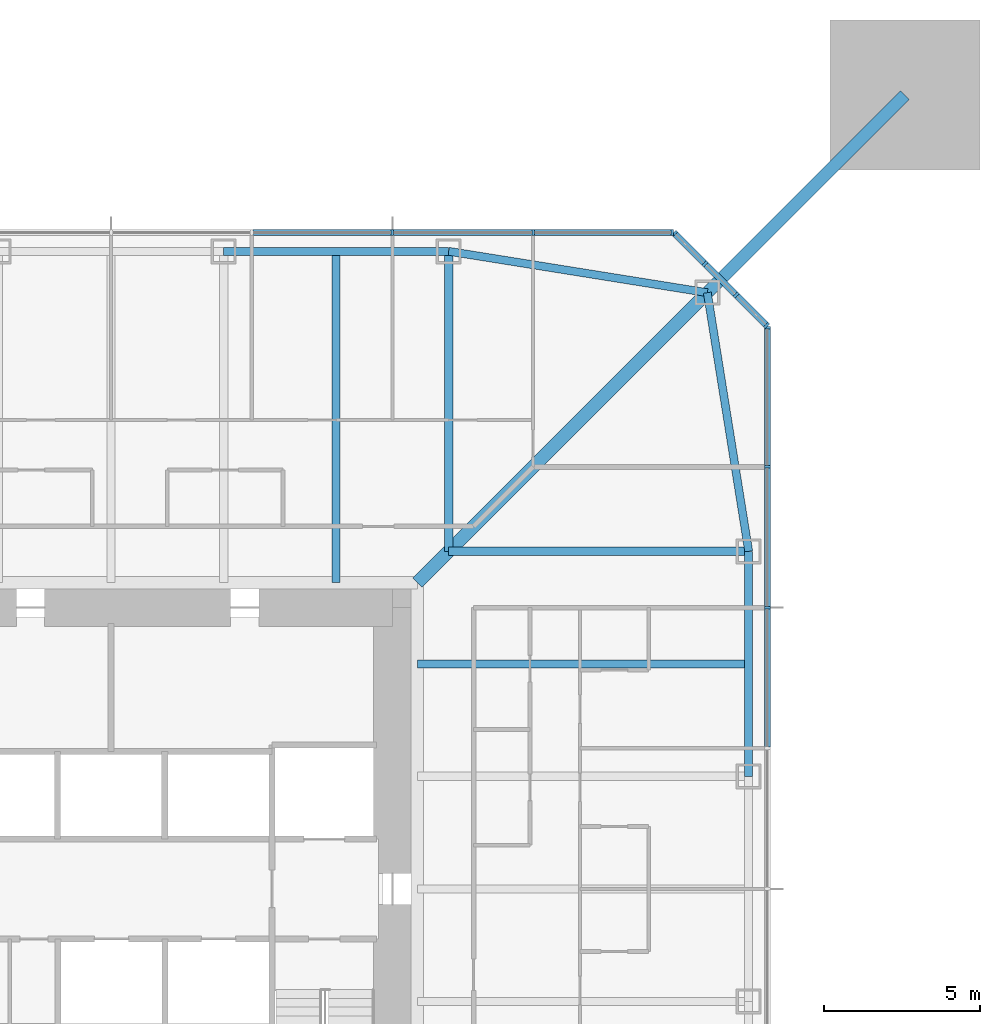
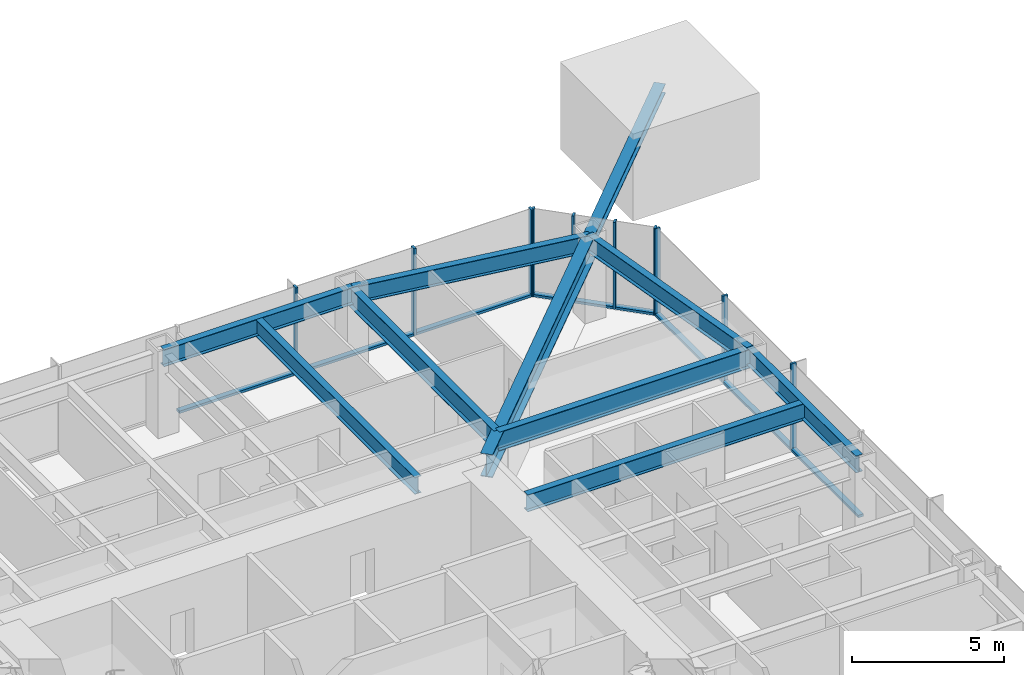
# One storey, part 5 of 14: 20 members, 9 beams, 3 elements without a shape of their own.
"""IFC4 building model written with IfcOpenShell, lengths in metres."""

from ifc_helpers import new_model, si_unit, direction, frame, origin, origin_2d, place, context, subcontext, project, spatial, rectangle, i_section, extrude, material, material_profile, profile_set, type_object, element, aggregate, save


model = new_model("IFC4")

# Units and contexts
model_context = context("Model", 3, precision=1e-05, world=origin(), true_north=direction((0.0, 1.0)))
body_context = subcontext(model_context, "Body", "Model", "MODEL_VIEW")
ifc_project = project(units=[si_unit("LENGTHUNIT", "METRE"), si_unit("AREAUNIT", "SQUARE_METRE"), si_unit("VOLUMEUNIT", "CUBIC_METRE"), si_unit("PLANEANGLEUNIT", "RADIAN"), si_unit("MASSUNIT", "GRAM", prefix="KILO")], contexts=[model_context])

# Site, building, storey
site_placement = place(None, origin())
site = spatial("IfcSite", under=ifc_project, at=site_placement, CompositionType="ELEMENT")
building_placement = place(site_placement, origin())
building = spatial("IfcBuilding", under=site, at=building_placement, Name="Iwan Alto Co-Living Towers", CompositionType="ELEMENT")
storey_placement = place(building_placement, frame((0.0, 0.0, 136.5)))
storey = spatial("IfcBuildingStorey", under=building, at=storey_placement, Name="L37", CompositionType="ELEMENT", Elevation=136.5)

# Curtain wall, members
ifc_material_1 = material(Name="Bronze aluminium unitised frame", Category="aluminium")
curtain_wall_type_1 = type_object("IfcCurtainWallType", Name="CURTAIN WALL CW-A", PredefinedType="NOTDEFINED", material=ifc_material_1)
curtain_wall_1_placement = place(storey_placement, origin())
curtain_wall_1 = element("IfcCurtainWall", 1, at=curtain_wall_1_placement, inside=storey, type_object=curtain_wall_type_1, Name="T1 curtain wall E L37", PredefinedType="NOTDEFINED")
ifc_material_2 = material(Name="Aluminium 6063-T6 bronze anodised", Category="aluminium")
ifc_material_profile_1 = material_profile(ifc_material_2, rectangle(XDim=0.199951171875, YDim=0.080078125, at=origin_2d()), Name="AL 80X200")
ifc_profile_set_1 = profile_set([ifc_material_profile_1], Name="Aluminium 6063-T6 bronze anodised")
member_type_1 = type_object("IfcMemberType", Name="CW-A MULLION 80X200", PredefinedType="MULLION", material=ifc_profile_set_1)
member_1_placement = place(storey_placement, frame((21.0, 9.0, 0.0), z_axis=(0.0, 0.0, 1.0), x_axis=(-1.0, 0.0, 0.0)))
member_1 = element("IfcMember", 2, at=member_1_placement, type_object=member_type_1, Name="CW-A mullion 7", PredefinedType="MULLION", context=body_context, shape_type="SweptSolid", body=[
    extrude(rectangle(XDim=0.199951171875, YDim=0.080078125, at=origin_2d()), origin(), (0.0, 0.0, 1.0), 3.5),
])
member_2_placement = place(storey_placement, frame((21.0, 13.5, 0.0), z_axis=(0.0, 0.0, 1.0), x_axis=(-1.0, 0.0, 0.0)))
member_2 = element("IfcMember", 3, at=member_2_placement, type_object=member_type_1, Name="CW-A mullion 8", PredefinedType="MULLION", context=body_context, shape_type="SweptSolid", body=[
    extrude(rectangle(XDim=0.199951171875, YDim=0.080078125, at=origin_2d()), origin(), (0.0, 0.0, 1.0), 3.5),
])
member_3_placement = place(storey_placement, frame((21.0, 17.9599609375, 0.0), z_axis=(0.0, 0.0, 1.0), x_axis=(-1.0, 0.0, 0.0)))
member_3 = element("IfcMember", 4, at=member_3_placement, type_object=member_type_1, Name="CW-A mullion 9", PredefinedType="MULLION", context=body_context, shape_type="SweptSolid", body=[
    extrude(rectangle(XDim=0.199951171875, YDim=0.080078125, at=origin_2d()), origin(), (0.0, 0.0, 1.0), 3.5),
])

curtain_wall_2_placement = place(storey_placement, origin())
curtain_wall_2 = element("IfcCurtainWall", 5, at=curtain_wall_2_placement, inside=storey, type_object=curtain_wall_type_1, Name="T1 curtain wall N L37", PredefinedType="NOTDEFINED")
member_4_placement = place(storey_placement, frame((17.9599609375, 21.0, 0.0), z_axis=(0.0, 0.0, 1.0), x_axis=(0.0, -1.0, 0.0)))
member_4 = element("IfcMember", 6, at=member_4_placement, type_object=member_type_1, Name="CW-A mullion 1", PredefinedType="MULLION", context=body_context, shape_type="SweptSolid", body=[
    extrude(rectangle(XDim=0.199951171875, YDim=0.080078125, at=origin_2d()), origin(), (0.0, 0.0, 1.0), 3.5),
])
member_5_placement = place(storey_placement, frame((13.5, 21.0, 0.0), z_axis=(0.0, 0.0, 1.0), x_axis=(0.0, -1.0, 0.0)))
member_5 = element("IfcMember", 7, at=member_5_placement, type_object=member_type_1, Name="CW-A mullion 2", PredefinedType="MULLION", context=body_context, shape_type="SweptSolid", body=[
    extrude(rectangle(XDim=0.199951171875, YDim=0.080078125, at=origin_2d()), origin(), (0.0, 0.0, 1.0), 3.5),
])
member_6_placement = place(storey_placement, frame((9.0, 21.0, 0.0), z_axis=(0.0, 0.0, 1.0), x_axis=(0.0, -1.0, 0.0)))
member_6 = element("IfcMember", 8, at=member_6_placement, type_object=member_type_1, Name="CW-A mullion 3", PredefinedType="MULLION", context=body_context, shape_type="SweptSolid", body=[
    extrude(rectangle(XDim=0.199951171875, YDim=0.080078125, at=origin_2d()), origin(), (0.0, 0.0, 1.0), 3.5),
])

# Member
ifc_material_3 = material(Name="Aluminium 6063-T6 bronze anodised", Category="aluminium")
ifc_material_profile_2 = material_profile(ifc_material_3, rectangle(XDim=0.199951171875, YDim=0.10009765625, at=origin_2d()), Name="AL 200X100")
ifc_profile_set_2 = profile_set([ifc_material_profile_2], Name="Aluminium 6063-T6 bronze anodised")
member_type_2 = type_object("IfcMemberType", Name="CW-A TRANSOM 200X100", PredefinedType="USERDEFINED", material=ifc_profile_set_2)
member_7_placement = place(storey_placement, frame((21.0, 4.5400390625, 0.050048828125), z_axis=(0.0, 1.0, 0.0), x_axis=(-1.0, 0.0, 0.0)))
member_7 = element("IfcMember", 9, at=member_7_placement, type_object=member_type_2, Name="CW-A transom 6.1", ObjectType="TRANSOM", PredefinedType="USERDEFINED", context=body_context, shape_type="SweptSolid", body=[
    extrude(rectangle(XDim=0.199951171875, YDim=0.10009765625, at=origin_2d()), origin(), (0.0, 0.0, 1.0), 4.419921875),
])

member_8_placement = place(storey_placement, frame((21.0, 9.0400390625, 0.050048828125), z_axis=(0.0, 1.0, 0.0), x_axis=(-1.0, 0.0, 0.0)))
member_8 = element("IfcMember", 10, at=member_8_placement, type_object=member_type_2, Name="CW-A transom 7.1", ObjectType="TRANSOM", PredefinedType="USERDEFINED", context=body_context, shape_type="SweptSolid", body=[
    extrude(rectangle(XDim=0.199951171875, YDim=0.10009765625, at=origin_2d()), origin(), (0.0, 0.0, 1.0), 4.419921875),
])

member_9_placement = place(storey_placement, frame((21.0, 13.5400390625, 0.050048828125), z_axis=(0.0, 1.0, 0.0), x_axis=(-1.0, 0.0, 0.0)))
member_9 = element("IfcMember", 11, at=member_9_placement, type_object=member_type_2, Name="CW-A transom 8.1", ObjectType="TRANSOM", PredefinedType="USERDEFINED", context=body_context, shape_type="SweptSolid", body=[
    extrude(rectangle(XDim=0.199951171875, YDim=0.10009765625, at=origin_2d()), origin(), (0.0, 0.0, 1.0), 4.3798828125),
])

aggregate(curtain_wall_1, [member_1, member_2, member_3, member_7, member_8, member_9])

member_10_placement = place(storey_placement, frame((17.919921875, 21.0, 0.050048828125), z_axis=(-1.0, 0.0, 0.0), x_axis=(0.0, -1.0, 0.0)))
member_10 = element("IfcMember", 12, at=member_10_placement, type_object=member_type_2, Name="CW-A transom 1.1", ObjectType="TRANSOM", PredefinedType="USERDEFINED", context=body_context, shape_type="SweptSolid", body=[
    extrude(rectangle(XDim=0.199951171875, YDim=0.10009765625, at=origin_2d()), origin(), (0.0, 0.0, 1.0), 4.3798828125),
])

member_11_placement = place(storey_placement, frame((13.4599609375, 21.0, 0.050048828125), z_axis=(-1.0, 0.0, 0.0), x_axis=(0.0, -1.0, 0.0)))
member_11 = element("IfcMember", 13, at=member_11_placement, type_object=member_type_2, Name="CW-A transom 2.1", ObjectType="TRANSOM", PredefinedType="USERDEFINED", context=body_context, shape_type="SweptSolid", body=[
    extrude(rectangle(XDim=0.199951171875, YDim=0.10009765625, at=origin_2d()), origin(), (0.0, 0.0, 1.0), 4.419921875),
])

member_12_placement = place(storey_placement, frame((8.9599609375, 21.0, 0.050048828125), z_axis=(-1.0, 0.0, 0.0), x_axis=(0.0, -1.0, 0.0)))
member_12 = element("IfcMember", 14, at=member_12_placement, type_object=member_type_2, Name="CW-A transom 3.1", ObjectType="TRANSOM", PredefinedType="USERDEFINED", context=body_context, shape_type="SweptSolid", body=[
    extrude(rectangle(XDim=0.199951171875, YDim=0.10009765625, at=origin_2d()), origin(), (0.0, 0.0, 1.0), 4.419921875),
])

aggregate(curtain_wall_2, [member_4, member_5, member_6, member_10, member_11, member_12])

# Curtain wall, members
ifc_material_4 = material(Name="Bronze aluminium unitised frame", Category="aluminium")
curtain_wall_type_2 = type_object("IfcCurtainWallType", Name="CURTAIN WALL CW-B", PredefinedType="NOTDEFINED", material=ifc_material_4)
curtain_wall_3_placement = place(storey_placement, origin())
curtain_wall_3 = element("IfcCurtainWall", 15, at=curtain_wall_3_placement, inside=storey, type_object=curtain_wall_type_2, Name="T1 chamfer curtain wall NE L37", PredefinedType="NOTDEFINED")
ifc_material_5 = material(Name="Aluminium 6063-T6 bronze anodised", Category="aluminium")
ifc_material_profile_3 = material_profile(ifc_material_5, rectangle(XDim=0.199951171875, YDim=0.080078125, at=origin_2d()), Name="AL 80X200")
ifc_profile_set_3 = profile_set([ifc_material_profile_3], Name="Aluminium 6063-T6 bronze anodised")
member_type_3 = type_object("IfcMemberType", Name="CW-B MULLION 80X200", PredefinedType="MULLION", material=ifc_profile_set_3)
member_13_placement = place(storey_placement, frame((20.9716796875, 18.0283203125, 0.0), z_axis=(0.0, 0.0, 1.0), x_axis=(-0.707106781187, -0.707106781187, 0.0)))
member_13 = element("IfcMember", 16, at=member_13_placement, type_object=member_type_3, Name="CW-B mullion 1", PredefinedType="MULLION", context=body_context, shape_type="SweptSolid", body=[
    extrude(rectangle(XDim=0.199951171875, YDim=0.080078125, at=origin_2d()), origin(), (0.0, 0.0, 1.0), 3.5),
])
member_14_placement = place(storey_placement, frame((20.0, 19.0, 0.0), z_axis=(0.0, 0.0, 1.0), x_axis=(-0.707106781187, -0.707106781187, 0.0)))
member_14 = element("IfcMember", 17, at=member_14_placement, type_object=member_type_3, Name="CW-B mullion 2", PredefinedType="MULLION", context=body_context, shape_type="SweptSolid", body=[
    extrude(rectangle(XDim=0.199951171875, YDim=0.080078125, at=origin_2d()), origin(), (0.0, 0.0, 1.0), 3.5),
])
member_15_placement = place(storey_placement, frame((19.0, 20.0, 0.0), z_axis=(0.0, 0.0, 1.0), x_axis=(-0.707106781187, -0.707106781187, 0.0)))
member_15 = element("IfcMember", 18, at=member_15_placement, type_object=member_type_3, Name="CW-B mullion 3", PredefinedType="MULLION", context=body_context, shape_type="SweptSolid", body=[
    extrude(rectangle(XDim=0.199951171875, YDim=0.080078125, at=origin_2d()), origin(), (0.0, 0.0, 1.0), 3.5),
])
member_16_placement = place(storey_placement, frame((18.0283203125, 20.9716796875, 0.0), z_axis=(0.0, 0.0, 1.0), x_axis=(-0.707106781187, -0.707106781187, 0.0)))
member_16 = element("IfcMember", 19, at=member_16_placement, type_object=member_type_3, Name="CW-B mullion 4", PredefinedType="MULLION", context=body_context, shape_type="SweptSolid", body=[
    extrude(rectangle(XDim=0.199951171875, YDim=0.080078125, at=origin_2d()), origin(), (0.0, 0.0, 1.0), 3.5),
])
ifc_material_6 = material(Name="Aluminium 6063-T6 bronze anodised", Category="aluminium")
ifc_material_profile_4 = material_profile(ifc_material_6, rectangle(XDim=0.199951171875, YDim=0.10009765625, at=origin_2d()), Name="AL 200X100")
ifc_profile_set_4 = profile_set([ifc_material_profile_4], Name="Aluminium 6063-T6 bronze anodised")
member_type_4 = type_object("IfcMemberType", Name="CW-B TRANSOM 200X100", PredefinedType="USERDEFINED", material=ifc_profile_set_4)
member_17_placement = place(storey_placement, frame((20.943359375, 18.056640625, 0.050048828125), z_axis=(-0.707106781187, 0.707106781187, 0.0), x_axis=(-0.707106781187, -0.707106781187, 0.0)))
member_17 = element("IfcMember", 20, at=member_17_placement, type_object=member_type_4, Name="CW-B transom 1.1", ObjectType="TRANSOM", PredefinedType="USERDEFINED", context=body_context, shape_type="SweptSolid", body=[
    extrude(rectangle(XDim=0.199951171875, YDim=0.10009765625, at=origin_2d()), origin(), (0.0, 0.0, 1.0), 1.2939453125),
])
member_18_placement = place(storey_placement, frame((19.9716796875, 19.0283203125, 0.050048828125), z_axis=(-0.707106781187, 0.707106781187, 0.0), x_axis=(-0.707106781187, -0.707106781187, 0.0)))
member_18 = element("IfcMember", 21, at=member_18_placement, type_object=member_type_4, Name="CW-B transom 2.1", ObjectType="TRANSOM", PredefinedType="USERDEFINED", context=body_context, shape_type="SweptSolid", body=[
    extrude(rectangle(XDim=0.199951171875, YDim=0.10009765625, at=origin_2d()), origin(), (0.0, 0.0, 1.0), 1.334228515625),
])
member_19_placement = place(storey_placement, frame((18.9716796875, 20.0283203125, 0.050048828125), z_axis=(-0.707106781187, 0.707106781187, 0.0), x_axis=(-0.707106781187, -0.707106781187, 0.0)))
member_19 = element("IfcMember", 22, at=member_19_placement, type_object=member_type_4, Name="CW-B transom 3.1", ObjectType="TRANSOM", PredefinedType="USERDEFINED", context=body_context, shape_type="SweptSolid", body=[
    extrude(rectangle(XDim=0.199951171875, YDim=0.10009765625, at=origin_2d()), origin(), (0.0, 0.0, 1.0), 1.2939453125),
])
aggregate(curtain_wall_3, [member_13, member_14, member_15, member_16, member_17, member_18, member_19])

# Beams
ifc_material_7 = material(Name="Steel ASTM A992 Gr 50", Category="steel")
ifc_material_profile_5 = material_profile(ifc_material_7, i_section(OverallWidth=0.419189453125, OverallDepth=0.927001953125, WebThickness=0.019287109375, FlangeThickness=0.031982421875, at=origin_2d()), Name="W36X231")
ifc_profile_set_5 = profile_set([ifc_material_profile_5], Name="Steel ASTM A992 Gr 50")
beam_type_1 = type_object("IfcBeamType", Name="T1 CORNER GIRDER W36X231", PredefinedType="BEAM", material=ifc_profile_set_5)
beam_1_placement = place(storey_placement, frame((19.07568359375, 19.07568359375, 2.806396484375), z_axis=(-0.707106781187, -0.707106781187, 0.0), x_axis=(0.707106781187, -0.707106781187, 0.0)))
element("IfcBeam", 23, at=beam_1_placement, inside=storey, type_object=beam_type_1, Name="T1 corner girder CNE L38", PredefinedType="BEAM", context=body_context, shape_type="SweptSolid", body=[
    extrude(i_section(OverallWidth=0.419189453125, OverallDepth=0.927001953125, WebThickness=0.019287109375, FlangeThickness=0.031982421875, at=origin_2d()), origin(), (0.0, 0.0, 1.0), 13.11865234375),
])
ifc_material_8 = material(Name="Steel ASTM A992 Gr 50", Category="steel")
ifc_material_profile_6 = material_profile(ifc_material_8, i_section(OverallWidth=0.25390625, OverallDepth=0.683349609375, WebThickness=0.012451171875, FlangeThickness=0.018798828125, at=origin_2d()), Name="W27X94")
ifc_profile_set_6 = profile_set([ifc_material_profile_6], Name="Steel ASTM A992 Gr 50")
beam_type_2 = type_object("IfcBeamType", Name="T1 EDGE BEAM W27X94", PredefinedType="BEAM", material=ifc_profile_set_6)
beam_2_placement = place(storey_placement, frame((20.39990234375, 3.60009765625, 2.928466796875), z_axis=(0.0, 1.0, 0.0), x_axis=(-1.0, 0.0, 0.0)))
element("IfcBeam", 24, at=beam_2_placement, inside=storey, type_object=beam_type_2, Name="T1 edge beam E3 L38", PredefinedType="BEAM", context=body_context, shape_type="SweptSolid", body=[
    extrude(i_section(OverallWidth=0.25390625, OverallDepth=0.683349609375, WebThickness=0.012451171875, FlangeThickness=0.018798828125, at=origin_2d()), origin(), (0.0, 0.0, 1.0), 7.199951171875),
])
for number, where, z_axis, x_axis, name in (
    (25, (20.39990234375, 10.800048828125, 2.928466796875), (-0.158004134737, 0.987438450439, 0.0), (-0.987438450439, -0.158004134737, 0.0), "T1 edge beam E4 L38"),
    (26, (19.07568359375, 19.07568359375, 2.928466796875), (-0.987438450439, 0.158004134737, 0.0), (-0.158004134737, -0.987438450439, 0.0), "T1 edge beam CNE L38"),
):
    element("IfcBeam", number, at=place(storey_placement, frame(where, z_axis=z_axis, x_axis=x_axis)), inside=storey, type_object=beam_type_2, Name=name, PredefinedType="BEAM", context=body_context, shape_type="SweptSolid", body=[
        extrude(i_section(OverallWidth=0.25390625, OverallDepth=0.683349609375, WebThickness=0.012451171875, FlangeThickness=0.018798828125, at=origin_2d()), origin(), (0.0, 0.0, 1.0), 8.380859375),
    ])
beam_3_placement = place(storey_placement, frame((10.800048828125, 20.39990234375, 2.928466796875), z_axis=(-1.0, 0.0, 0.0), x_axis=(0.0, -1.0, 0.0)))
element("IfcBeam", 27, at=beam_3_placement, inside=storey, type_object=beam_type_2, Name="T1 edge beam N1 L38", PredefinedType="BEAM", context=body_context, shape_type="SweptSolid", body=[
    extrude(i_section(OverallWidth=0.25390625, OverallDepth=0.683349609375, WebThickness=0.012451171875, FlangeThickness=0.018798828125, at=origin_2d()), origin(), (0.0, 0.0, 1.0), 7.199951171875),
])

# Member
ifc_material_9 = material(Name="Steel ASTM A992 Gr 50", Category="steel")
ifc_material_profile_7 = material_profile(ifc_material_9, i_section(OverallWidth=0.393798828125, OverallDepth=0.3759765625, WebThickness=0.017333984375, FlangeThickness=0.027587890625, at=origin_2d()), Name="W14X145")
ifc_profile_set_7 = profile_set([ifc_material_profile_7], Name="Steel ASTM A992 Gr 50")
member_type_5 = type_object("IfcMemberType", Name="T1 MEGA COLUMN FLOOR TIE W14X145", PredefinedType="STRUT", material=ifc_profile_set_7)
member_20_placement = place(storey_placement, frame((25.39990234375, 25.39990234375, 3.08203125), z_axis=(-0.707106781187, -0.707106781187, 0.0), x_axis=(0.707106781187, -0.707106781187, 0.0)))
element("IfcMember", 28, at=member_20_placement, inside=storey, type_object=member_type_5, Name="T1 mega column floor tie NE L38", PredefinedType="STRUT", context=body_context, shape_type="SweptSolid", body=[
    extrude(i_section(OverallWidth=0.393798828125, OverallDepth=0.3759765625, WebThickness=0.017333984375, FlangeThickness=0.027587890625, at=origin_2d()), origin(), (0.0, 0.0, 1.0), 8.94384765625),
])

# Beams
ifc_material_10 = material(Name="Steel ASTM A992 Gr 50", Category="steel")
ifc_material_profile_8 = material_profile(ifc_material_10, i_section(OverallWidth=0.2666015625, OverallDepth=0.761962890625, WebThickness=0.014404296875, FlangeThickness=0.021484375, at=origin_2d()), Name="W30X116")
ifc_profile_set_8 = profile_set([ifc_material_profile_8], Name="Steel ASTM A992 Gr 50")
beam_type_3 = type_object("IfcBeamType", Name="T1 RADIAL BEAM W30X116", PredefinedType="BEAM", material=ifc_profile_set_8)
for number, where, z_axis, x_axis, name in (
    (29, (20.39990234375, 10.800048828125, 2.888916015625), (-1.0, 0.0, 0.0), (0.0, -1.0, 0.0), "T1 radial beam E4 L38"),
    (30, (10.800048828125, 20.39990234375, 2.888916015625), (0.0, -1.0, 0.0), (1.0, 0.0, 0.0), "T1 radial beam N1 L38"),
):
    element("IfcBeam", number, at=place(storey_placement, frame(where, z_axis=z_axis, x_axis=x_axis)), inside=storey, type_object=beam_type_3, Name=name, PredefinedType="BEAM", context=body_context, shape_type="SweptSolid", body=[
        extrude(i_section(OverallWidth=0.2666015625, OverallDepth=0.761962890625, WebThickness=0.014404296875, FlangeThickness=0.021484375, at=origin_2d()), origin(), (0.0, 0.0, 1.0), 9.599853515625),
    ])
ifc_material_11 = material(Name="Steel ASTM A992 Gr 50", Category="steel")
ifc_material_profile_9 = material_profile(ifc_material_11, i_section(OverallWidth=0.25390625, OverallDepth=0.683349609375, WebThickness=0.012451171875, FlangeThickness=0.018798828125, at=origin_2d()), Name="W27X94")
ifc_profile_set_9 = profile_set([ifc_material_profile_9], Name="Steel ASTM A992 Gr 50")
beam_type_4 = type_object("IfcBeamType", Name="T1 SECONDARY BEAM W27X94", PredefinedType="JOIST", material=ifc_profile_set_9)
for number, where, z_axis, x_axis, name in (
    (31, (20.39990234375, 7.199951171875, 2.928466796875), (-1.0, 0.0, 0.0), (0.0, -1.0, 0.0), "T1 secondary beam E3 L38"),
    (32, (7.199951171875, 20.39990234375, 2.928466796875), (0.0, -1.0, 0.0), (1.0, 0.0, 0.0), "T1 secondary beam N1 L38"),
):
    element("IfcBeam", number, at=place(storey_placement, frame(where, z_axis=z_axis, x_axis=x_axis)), inside=storey, type_object=beam_type_4, Name=name, PredefinedType="JOIST", context=body_context, shape_type="SweptSolid", body=[
        extrude(i_section(OverallWidth=0.25390625, OverallDepth=0.683349609375, WebThickness=0.012451171875, FlangeThickness=0.018798828125, at=origin_2d()), origin(), (0.0, 0.0, 1.0), 10.6005859375),
    ])

save(model, "model.ifc")
